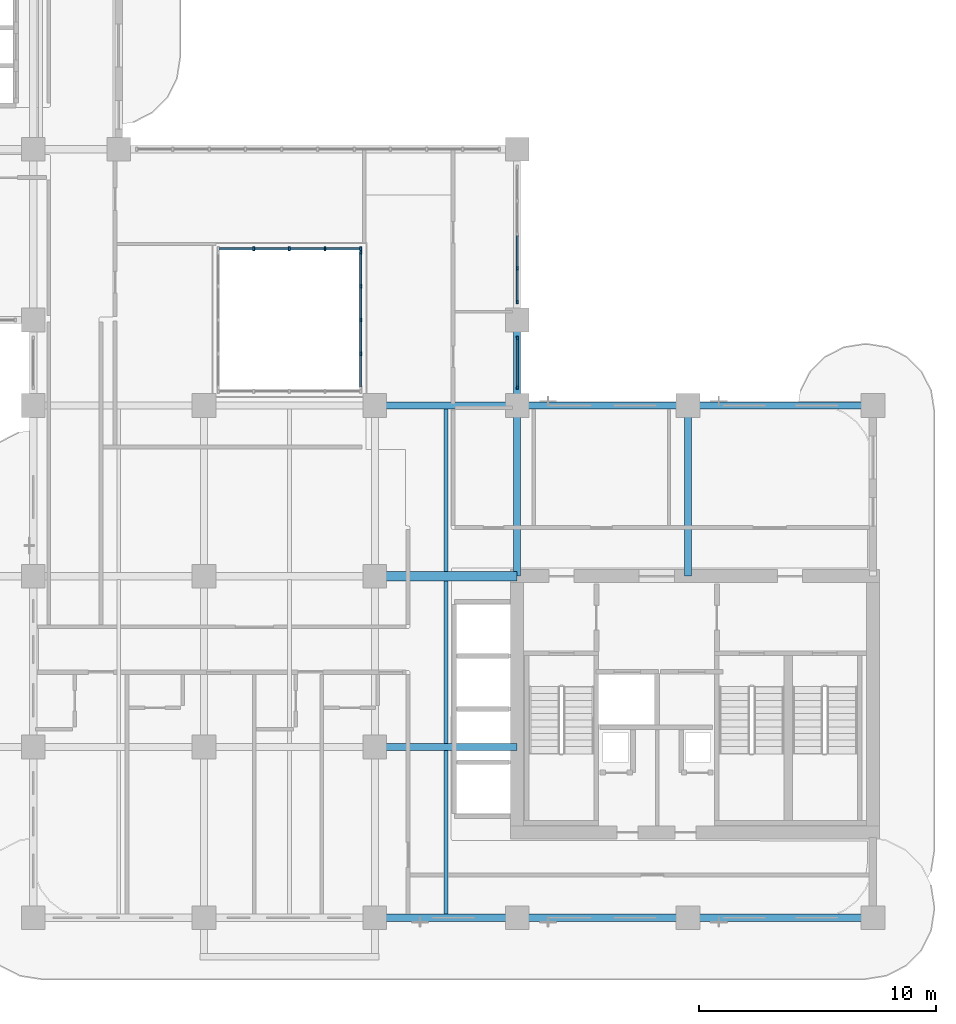
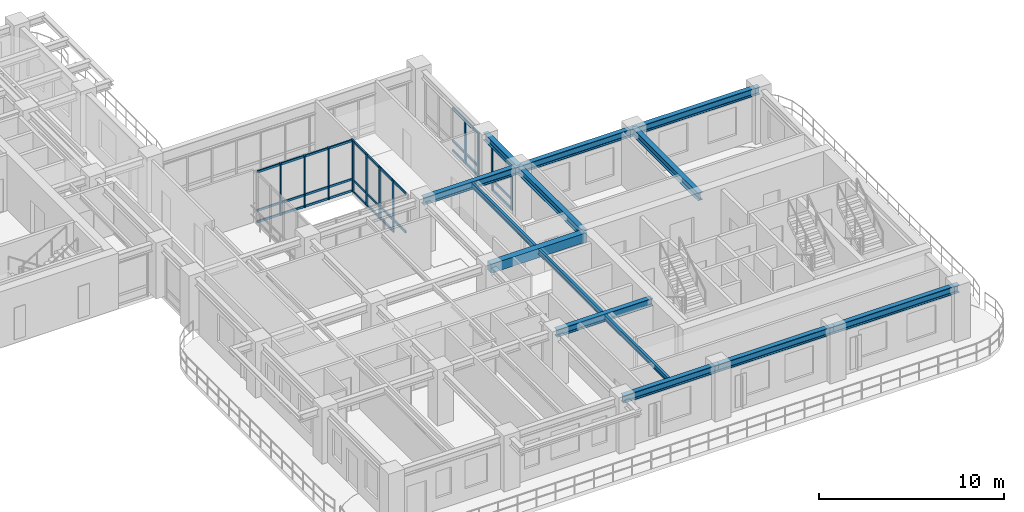
# One storey, part 3 of 20: 44 members, 14 beams, 4 elements without a shape of their own.
"""IFC4 building model written with IfcOpenShell, lengths in metres."""

from ifc_helpers import new_model, si_unit, derived_unit, direction, frame, origin, origin_2d, place, context, subcontext, project, spatial, rectangle, i_section, extrude, source, transform, mapped, material, layer, layer_set, material_profile, profile_set, type_object, type_shapes, element, aggregate, save


model = new_model("IFC4")

# Units and contexts
model_context = context("Model", 3, precision=1e-05, world=origin(), true_north=direction((0.0, 1.0)))
body_context = subcontext(model_context, "Body", "Model", "MODEL_VIEW")
ifc_project = project(units=[si_unit("LENGTHUNIT", "METRE"), si_unit("AREAUNIT", "SQUARE_METRE"), si_unit("VOLUMEUNIT", "CUBIC_METRE"), si_unit("PLANEANGLEUNIT", "RADIAN"), si_unit("MASSUNIT", "GRAM", prefix="KILO"), si_unit("THERMODYNAMICTEMPERATUREUNIT", "KELVIN"), si_unit("POWERUNIT", "WATT"), derived_unit("THERMALTRANSMITTANCEUNIT", [(si_unit("POWERUNIT", "WATT"), 1), (si_unit("AREAUNIT", "SQUARE_METRE"), -1), (si_unit("THERMODYNAMICTEMPERATUREUNIT", "KELVIN"), -1)])], contexts=[model_context])

# Site, building, storey
site_placement = place(None, origin())
site = spatial("IfcSite", under=ifc_project, at=site_placement, CompositionType="ELEMENT")
building_placement = place(site_placement, origin())
building = spatial("IfcBuilding", under=site, at=building_placement, Name="Zahravan Archway Hotel and Residences", CompositionType="ELEMENT")
storey_placement = place(building_placement, frame((0.0, 0.0, 122.89990234375)))
storey = spatial("IfcBuildingStorey", under=building, at=storey_placement, Name="L30", CompositionType="ELEMENT", Elevation=122.89990234375)

# Beams
ifc_material_1 = material(Name="Concrete C60/75", Category="concrete")
ifc_material_profile_1 = material_profile(ifc_material_1, rectangle(XDim=0.39990234375, YDim=0.60009765625, at=origin_2d()), Name="RC-LNT-400x600", Category="concrete")
ifc_profile_set_1 = profile_set([ifc_material_profile_1], Name="Concrete C60/75")
beam_type_1 = type_object("IfcBeamType", Name="LNT-RC-400x600", PredefinedType="LINTEL", material=ifc_profile_set_1)
shared_shape_1 = source(origin(), body_context, "Body", "SweptSolid", [
    extrude(rectangle(XDim=0.39990234375, YDim=0.60009765625, at=origin_2d()), origin(), (0.0, 0.0, 1.0), 6.0),
])
type_shapes(beam_type_1, [shared_shape_1])
beam_1_placement = place(storey_placement, frame((28.800048828125, 14.39990234375, 3.150146484375), z_axis=(1.0, 0.0, 0.0), x_axis=(0.0, 1.0, 0.0)))
element("IfcBeam", 1, at=beam_1_placement, inside=storey, type_object=beam_type_1, Name="L30 Core A Coupling Lintel Beam", PredefinedType="LINTEL", context=body_context, shape_type="MappedRepresentation", body=[
    mapped(shared_shape_1, transform((0.0, 0.0, 0.0), scale=1.0)),
])
ifc_material_2 = material(Name="Structural Steel S355JR", Category="steel")
ifc_material_profile_2 = material_profile(ifc_material_2, i_section(OverallWidth=0.300048828125, OverallDepth=0.5, WebThickness=0.014404296875, FlangeThickness=0.028076171875, FilletRadius=0.027099609375, at=origin_2d()), Name="HEB 500", Category="steel")
ifc_profile_set_2 = profile_set([ifc_material_profile_2], Name="Structural Steel S355JR")
beam_type_2 = type_object("IfcBeamType", Name="BM-PRI-HEB500", PredefinedType="BEAM", material=ifc_profile_set_2)
shared_shape_2 = source(origin(), body_context, "Body", "SweptSolid", [
    extrude(i_section(OverallWidth=0.300048828125, OverallDepth=0.5, WebThickness=0.014404296875, FlangeThickness=0.028076171875, FilletRadius=0.027099609375, at=origin_2d()), origin(), (0.0, 0.0, 1.0), 7.2001953125),
])
type_shapes(beam_type_2, [shared_shape_2])
for number, where, z_axis, x_axis, name in (
    (2, (34.800048828125, 14.39990234375, 3.2001953125), (0.0, 1.0, 0.0), (-1.0, 0.0, 0.0), "L30 Primary Girder NS-41"),
    (3, (42.0, 14.39990234375, 3.2001953125), (0.0, 1.0, 0.0), (-1.0, 0.0, 0.0), "L30 Primary Girder NS-44"),
):
    element("IfcBeam", number, at=place(storey_placement, frame(where, z_axis=z_axis, x_axis=x_axis)), inside=storey, type_object=beam_type_2, Name=name, PredefinedType="BEAM", context=body_context, shape_type="MappedRepresentation", body=[
        mapped(shared_shape_2, transform((0.0, 0.0, 0.0), scale=1.0)),
    ])
shared_shape_3 = source(origin(), body_context, "Body", "SweptSolid", [
    extrude(i_section(OverallWidth=0.300048828125, OverallDepth=0.5, WebThickness=0.014404296875, FlangeThickness=0.028076171875, FilletRadius=0.027099609375, at=origin_2d()), origin(), (0.0, 0.0, 1.0), 7.199951171875),
])
for number, where, z_axis, x_axis, name in (
    (4, (34.800048828125, 0.0, 3.2001953125), (1.0, 0.0, 0.0), (0.0, 1.0, 0.0), "L30 Primary Girder EW-04"),
    (5, (34.800048828125, 21.60009765625, 3.2001953125), (1.0, 0.0, 0.0), (0.0, 1.0, 0.0), "L30 Primary Girder EW-14"),
):
    element("IfcBeam", number, at=place(storey_placement, frame(where, z_axis=z_axis, x_axis=x_axis)), inside=storey, type_object=beam_type_2, Name=name, PredefinedType="BEAM", context=body_context, shape_type="MappedRepresentation", body=[
        mapped(shared_shape_3, transform((0.0, 0.0, 0.0), scale=1.0)),
    ])
shared_shape_4 = source(origin(), body_context, "Body", "SweptSolid", [
    extrude(i_section(OverallWidth=0.300048828125, OverallDepth=0.5, WebThickness=0.014404296875, FlangeThickness=0.028076171875, FilletRadius=0.027099609375, at=origin_2d()), origin(), (0.0, 0.0, 1.0), 6.0),
])
for number, where, z_axis, x_axis, name in (
    (6, (28.800048828125, 0.0, 3.2001953125), (1.0, 0.0, 0.0), (0.0, 1.0, 0.0), "L30 Primary Girder EW-03"),
    (7, (28.800048828125, 7.199951171875, 3.2001953125), (1.0, 0.0, 0.0), (0.0, 1.0, 0.0), "L30 Primary Girder EW-08"),
    (8, (28.800048828125, 21.60009765625, 3.2001953125), (1.0, 0.0, 0.0), (0.0, 1.0, 0.0), "L30 Primary Girder EW-13"),
):
    element("IfcBeam", number, at=place(storey_placement, frame(where, z_axis=z_axis, x_axis=x_axis)), inside=storey, type_object=beam_type_2, Name=name, PredefinedType="BEAM", context=body_context, shape_type="MappedRepresentation", body=[
        mapped(shared_shape_4, transform((0.0, 0.0, 0.0), scale=1.0)),
    ])
shared_shape_5 = source(origin(), body_context, "Body", "SweptSolid", [
    extrude(i_section(OverallWidth=0.300048828125, OverallDepth=0.5, WebThickness=0.014404296875, FlangeThickness=0.028076171875, FilletRadius=0.027099609375, at=origin_2d()), origin(), (0.0, 0.0, 1.0), 7.800048828125),
])
for number, where, z_axis, x_axis, name in (
    (9, (42.0, 0.0, 3.2001953125), (1.0, 0.0, 0.0), (0.0, 1.0, 0.0), "L30 Primary Girder EW-05"),
    (10, (42.0, 21.60009765625, 3.2001953125), (1.0, 0.0, 0.0), (0.0, 1.0, 0.0), "L30 Primary Girder EW-15"),
):
    element("IfcBeam", number, at=place(storey_placement, frame(where, z_axis=z_axis, x_axis=x_axis)), inside=storey, type_object=beam_type_2, Name=name, PredefinedType="BEAM", context=body_context, shape_type="MappedRepresentation", body=[
        mapped(shared_shape_5, transform((0.0, 0.0, 0.0), scale=1.0)),
    ])
shared_shape_6 = source(origin(), body_context, "Body", "SweptSolid", [
    extrude(i_section(OverallWidth=0.300048828125, OverallDepth=0.5, WebThickness=0.014404296875, FlangeThickness=0.028076171875, FilletRadius=0.027099609375, at=origin_2d()), origin(), (0.0, 0.0, 1.0), 3.599853515625),
])
beam_2_placement = place(storey_placement, frame((34.800048828125, 21.60009765625, 3.2001953125), z_axis=(0.0, 1.0, 0.0), x_axis=(-1.0, 0.0, 0.0)))
element("IfcBeam", 11, at=beam_2_placement, inside=storey, type_object=beam_type_2, Name="L30 Primary Girder NS-42", PredefinedType="BEAM", context=body_context, shape_type="MappedRepresentation", body=[
    mapped(shared_shape_6, transform((0.0, 0.0, 0.0), scale=1.0)),
])
ifc_material_profile_3 = material_profile(ifc_material_2, i_section(OverallWidth=0.159912109375, OverallDepth=0.330078125, WebThickness=0.007568359375, FlangeThickness=0.011474609375, FilletRadius=0.01806640625, at=origin_2d()), Name="IPE 330", Category="steel")
ifc_profile_set_3 = profile_set([ifc_material_profile_3], Name="Structural Steel S355JR")
beam_type_3 = type_object("IfcBeamType", Name="BM-JST-IPE330", PredefinedType="JOIST", material=ifc_profile_set_3)
shared_shape_7 = source(origin(), body_context, "Body", "SweptSolid", [
    extrude(i_section(OverallWidth=0.159912109375, OverallDepth=0.330078125, WebThickness=0.007568359375, FlangeThickness=0.011474609375, FilletRadius=0.01806640625, at=origin_2d()), origin(), (0.0, 0.0, 1.0), 6.904052734375),
])
type_shapes(beam_type_3, [shared_shape_7])
beam_3_placement = place(storey_placement, frame((31.800048828125, 0.14794921875, 3.28515625), z_axis=(0.0, 1.0, 0.0), x_axis=(-1.0, 0.0, 0.0)))
element("IfcBeam", 12, at=beam_3_placement, inside=storey, type_object=beam_type_3, Name="L30 Composite Floor Joist 03", PredefinedType="JOIST", context=body_context, shape_type="MappedRepresentation", body=[
    mapped(shared_shape_7, transform((0.0, 0.0, 0.0), scale=1.0)),
])
shared_shape_8 = source(origin(), body_context, "Body", "SweptSolid", [
    extrude(i_section(OverallWidth=0.159912109375, OverallDepth=0.330078125, WebThickness=0.007568359375, FlangeThickness=0.011474609375, FilletRadius=0.01806640625, at=origin_2d()), origin(), (0.0, 0.0, 1.0), 6.85400390625),
])
for number, where, z_axis, x_axis, name in (
    (13, (31.800048828125, 7.347900390625, 3.28515625), (0.0, 1.0, 0.0), (-1.0, 0.0, 0.0), "L30 Composite Floor Joist 06"),
    (14, (31.800048828125, 14.597900390625, 3.28515625), (0.0, 1.0, 0.0), (-1.0, 0.0, 0.0), "L30 Composite Floor Joist 07"),
):
    element("IfcBeam", number, at=place(storey_placement, frame(where, z_axis=z_axis, x_axis=x_axis)), inside=storey, type_object=beam_type_3, Name=name, PredefinedType="JOIST", context=body_context, shape_type="MappedRepresentation", body=[
        mapped(shared_shape_8, transform((0.0, 0.0, 0.0), scale=1.0)),
    ])

# Curtain wall, members
ifc_material_3 = material(Name="Bronze-Anodized Unitised Aluminium & Low-E Glass", Category="aluminium")
ifc_layer_1 = layer(ifc_material_3, 0.179931640625, Name="Bronze-Anodized Unitised Aluminium & Low-E Glass", Category="aluminium")
ifc_layer_set_1 = layer_set([ifc_layer_1], Name="Bronze-Anodized Unitised Aluminium & Low-E Glass")
curtain_wall_type_1 = type_object("IfcCurtainWallType", Name="CW-TWR-FEAT", PredefinedType="NOTDEFINED", material=ifc_layer_set_1)
curtain_wall_1_placement = place(storey_placement, origin())
curtain_wall_1 = element("IfcCurtainWall", 15, at=curtain_wall_1_placement, inside=storey, type_object=curtain_wall_type_1, Name="L30 Curtain Wall CW-L30-HNG-E-2", PredefinedType="NOTDEFINED")
ifc_material_4 = material(Name="Bronze-Anodized Extruded Aluminium", Category="aluminium")
ifc_material_profile_4 = material_profile(ifc_material_4, rectangle(XDim=0.080078125, YDim=0.139892578125, at=origin_2d()), Name="TRN 80x140", Category="aluminium")
ifc_profile_set_4 = profile_set([ifc_material_profile_4], Name="Bronze-Anodized Extruded Aluminium")
member_type_1 = type_object("IfcMemberType", Name="CWM-TRN-140", PredefinedType="USERDEFINED", material=ifc_profile_set_4)
shared_shape_9 = source(origin(), body_context, "Body", "SweptSolid", [
    extrude(rectangle(XDim=0.080078125, YDim=0.139892578125, at=origin_2d()), origin(), (0.0, 0.0, 1.0), 1.340087890625),
])
member_1_placement = place(storey_placement, frame((34.800048828125, 26.0, 0.070068359375), z_axis=(0.0, 1.0, 0.0), x_axis=(-1.0, 0.0, 0.0)))
member_1 = element("IfcMember", 16, at=member_1_placement, type_object=member_type_1, Name="CW-L30-HNG-E-2 Transom 0-1", ObjectType="TRANSOM", PredefinedType="USERDEFINED", context=body_context, shape_type="MappedRepresentation", body=[
    mapped(shared_shape_9, transform((0.0, 0.0, 0.0), scale=1.0)),
])
member_2_placement = place(storey_placement, frame((34.800048828125, 26.0, 0.70458984375), z_axis=(0.0, 1.0, 0.0), x_axis=(-1.0, 0.0, 0.0)))
member_2 = element("IfcMember", 17, at=member_2_placement, type_object=member_type_1, Name="CW-L30-HNG-E-2 Transom 0-2", ObjectType="TRANSOM", PredefinedType="USERDEFINED", context=body_context, shape_type="MappedRepresentation", body=[
    mapped(shared_shape_9, transform((0.0, 0.0, 0.0), scale=1.0)),
])
member_3_placement = place(storey_placement, frame((34.800048828125, 26.0, 2.864990234375), z_axis=(0.0, 1.0, 0.0), x_axis=(-1.0, 0.0, 0.0)))
member_3 = element("IfcMember", 18, at=member_3_placement, type_object=member_type_1, Name="CW-L30-HNG-E-2 Transom 0-3", ObjectType="TRANSOM", PredefinedType="USERDEFINED", context=body_context, shape_type="MappedRepresentation", body=[
    mapped(shared_shape_9, transform((0.0, 0.0, 0.0), scale=1.0)),
])
member_4_placement = place(storey_placement, frame((34.800048828125, 27.419921875, 0.070068359375), z_axis=(0.0, 1.0, 0.0), x_axis=(-1.0, 0.0, 0.0)))
member_4 = element("IfcMember", 19, at=member_4_placement, type_object=member_type_1, Name="CW-L30-HNG-E-2 Transom 1-1", ObjectType="TRANSOM", PredefinedType="USERDEFINED", context=body_context, shape_type="MappedRepresentation", body=[
    mapped(shared_shape_9, transform((0.0, 0.0, 0.0), scale=1.0)),
])
member_5_placement = place(storey_placement, frame((34.800048828125, 27.419921875, 0.70458984375), z_axis=(0.0, 1.0, 0.0), x_axis=(-1.0, 0.0, 0.0)))
member_5 = element("IfcMember", 20, at=member_5_placement, type_object=member_type_1, Name="CW-L30-HNG-E-2 Transom 1-2", ObjectType="TRANSOM", PredefinedType="USERDEFINED", context=body_context, shape_type="MappedRepresentation", body=[
    mapped(shared_shape_9, transform((0.0, 0.0, 0.0), scale=1.0)),
])
member_6_placement = place(storey_placement, frame((34.800048828125, 27.419921875, 2.864990234375), z_axis=(0.0, 1.0, 0.0), x_axis=(-1.0, 0.0, 0.0)))
member_6 = element("IfcMember", 21, at=member_6_placement, type_object=member_type_1, Name="CW-L30-HNG-E-2 Transom 1-3", ObjectType="TRANSOM", PredefinedType="USERDEFINED", context=body_context, shape_type="MappedRepresentation", body=[
    mapped(shared_shape_9, transform((0.0, 0.0, 0.0), scale=1.0)),
])

curtain_wall_2_placement = place(storey_placement, origin())
curtain_wall_2 = element("IfcCurtainWall", 22, at=curtain_wall_2_placement, inside=storey, type_object=curtain_wall_type_1, Name="L30 Curtain Wall CW-L30-HNG-E-1", PredefinedType="NOTDEFINED")
shared_shape_10 = source(origin(), body_context, "Body", "SweptSolid", [
    extrude(rectangle(XDim=0.080078125, YDim=0.139892578125, at=origin_2d()), origin(), (0.0, 0.0, 1.0), 2.0),
])
member_7_placement = place(storey_placement, frame((34.800048828125, 22.39990234375, 0.070068359375), z_axis=(0.0, 1.0, 0.0), x_axis=(-1.0, 0.0, 0.0)))
member_7 = element("IfcMember", 23, at=member_7_placement, type_object=member_type_1, Name="CW-L30-HNG-E-1 Transom 0-1", ObjectType="TRANSOM", PredefinedType="USERDEFINED", context=body_context, shape_type="MappedRepresentation", body=[
    mapped(shared_shape_10, transform((0.0, 0.0, 0.0), scale=1.0)),
])
member_8_placement = place(storey_placement, frame((34.800048828125, 22.39990234375, 0.70458984375), z_axis=(0.0, 1.0, 0.0), x_axis=(-1.0, 0.0, 0.0)))
member_8 = element("IfcMember", 24, at=member_8_placement, type_object=member_type_1, Name="CW-L30-HNG-E-1 Transom 0-2", ObjectType="TRANSOM", PredefinedType="USERDEFINED", context=body_context, shape_type="MappedRepresentation", body=[
    mapped(shared_shape_10, transform((0.0, 0.0, 0.0), scale=1.0)),
])
member_9_placement = place(storey_placement, frame((34.800048828125, 22.39990234375, 2.864990234375), z_axis=(0.0, 1.0, 0.0), x_axis=(-1.0, 0.0, 0.0)))
member_9 = element("IfcMember", 25, at=member_9_placement, type_object=member_type_1, Name="CW-L30-HNG-E-1 Transom 0-3", ObjectType="TRANSOM", PredefinedType="USERDEFINED", context=body_context, shape_type="MappedRepresentation", body=[
    mapped(shared_shape_10, transform((0.0, 0.0, 0.0), scale=1.0)),
])

ifc_layer_2 = layer(ifc_material_3, 0.179931640625, Name="Bronze-Anodized Unitised Aluminium & Low-E Glass", Category="aluminium")
ifc_layer_set_2 = layer_set([ifc_layer_2], Name="Bronze-Anodized Unitised Aluminium & Low-E Glass")
curtain_wall_type_2 = type_object("IfcCurtainWallType", Name="CW-ATR-GLAZ", PredefinedType="NOTDEFINED", material=ifc_layer_set_2)
curtain_wall_3_placement = place(storey_placement, origin())
curtain_wall_3 = element("IfcCurtainWall", 26, at=curtain_wall_3_placement, inside=storey, type_object=curtain_wall_type_2, Name="L30 Curtain Wall CW-ATR-L30-N-1", PredefinedType="NOTDEFINED")
shared_shape_11 = source(origin(), body_context, "Body", "SweptSolid", [
    extrude(rectangle(XDim=0.080078125, YDim=0.139892578125, at=origin_2d()), origin(), (0.0, 0.0, 1.0), 1.419921875),
])
member_10_placement = place(storey_placement, frame((22.239990234375, 28.199951171875, 0.070068359375), z_axis=(1.0, 0.0, 0.0), x_axis=(0.0, 1.0, 0.0)))
member_10 = element("IfcMember", 27, at=member_10_placement, type_object=member_type_1, Name="CW-ATR-L30-N-1 Transom 0-1", ObjectType="TRANSOM", PredefinedType="USERDEFINED", context=body_context, shape_type="MappedRepresentation", body=[
    mapped(shared_shape_11, transform((0.0, 0.0, 0.0), scale=1.0)),
])
member_11_placement = place(storey_placement, frame((22.239990234375, 28.199951171875, 0.828125), z_axis=(1.0, 0.0, 0.0), x_axis=(0.0, 1.0, 0.0)))
member_11 = element("IfcMember", 28, at=member_11_placement, type_object=member_type_1, Name="CW-ATR-L30-N-1 Transom 0-2", ObjectType="TRANSOM", PredefinedType="USERDEFINED", context=body_context, shape_type="MappedRepresentation", body=[
    mapped(shared_shape_11, transform((0.0, 0.0, 0.0), scale=1.0)),
])
member_12_placement = place(storey_placement, frame((22.239990234375, 28.199951171875, 3.380126953125), z_axis=(1.0, 0.0, 0.0), x_axis=(0.0, 1.0, 0.0)))
member_12 = element("IfcMember", 29, at=member_12_placement, type_object=member_type_1, Name="CW-ATR-L30-N-1 Transom 0-3", ObjectType="TRANSOM", PredefinedType="USERDEFINED", context=body_context, shape_type="MappedRepresentation", body=[
    mapped(shared_shape_11, transform((0.0, 0.0, 0.0), scale=1.0)),
])
member_13_placement = place(storey_placement, frame((23.739990234375, 28.199951171875, 0.070068359375), z_axis=(1.0, 0.0, 0.0), x_axis=(0.0, 1.0, 0.0)))
member_13 = element("IfcMember", 30, at=member_13_placement, type_object=member_type_1, Name="CW-ATR-L30-N-1 Transom 1-1", ObjectType="TRANSOM", PredefinedType="USERDEFINED", context=body_context, shape_type="MappedRepresentation", body=[
    mapped(shared_shape_11, transform((0.0, 0.0, 0.0), scale=1.0)),
])
member_14_placement = place(storey_placement, frame((23.739990234375, 28.199951171875, 0.828125), z_axis=(1.0, 0.0, 0.0), x_axis=(0.0, 1.0, 0.0)))
member_14 = element("IfcMember", 31, at=member_14_placement, type_object=member_type_1, Name="CW-ATR-L30-N-1 Transom 1-2", ObjectType="TRANSOM", PredefinedType="USERDEFINED", context=body_context, shape_type="MappedRepresentation", body=[
    mapped(shared_shape_11, transform((0.0, 0.0, 0.0), scale=1.0)),
])
member_15_placement = place(storey_placement, frame((23.739990234375, 28.199951171875, 3.380126953125), z_axis=(1.0, 0.0, 0.0), x_axis=(0.0, 1.0, 0.0)))
member_15 = element("IfcMember", 32, at=member_15_placement, type_object=member_type_1, Name="CW-ATR-L30-N-1 Transom 1-3", ObjectType="TRANSOM", PredefinedType="USERDEFINED", context=body_context, shape_type="MappedRepresentation", body=[
    mapped(shared_shape_11, transform((0.0, 0.0, 0.0), scale=1.0)),
])
member_16_placement = place(storey_placement, frame((25.239990234375, 28.199951171875, 0.070068359375), z_axis=(1.0, 0.0, 0.0), x_axis=(0.0, 1.0, 0.0)))
member_16 = element("IfcMember", 33, at=member_16_placement, type_object=member_type_1, Name="CW-ATR-L30-N-1 Transom 2-1", ObjectType="TRANSOM", PredefinedType="USERDEFINED", context=body_context, shape_type="MappedRepresentation", body=[
    mapped(shared_shape_11, transform((0.0, 0.0, 0.0), scale=1.0)),
])
member_17_placement = place(storey_placement, frame((25.239990234375, 28.199951171875, 0.828125), z_axis=(1.0, 0.0, 0.0), x_axis=(0.0, 1.0, 0.0)))
member_17 = element("IfcMember", 34, at=member_17_placement, type_object=member_type_1, Name="CW-ATR-L30-N-1 Transom 2-2", ObjectType="TRANSOM", PredefinedType="USERDEFINED", context=body_context, shape_type="MappedRepresentation", body=[
    mapped(shared_shape_11, transform((0.0, 0.0, 0.0), scale=1.0)),
])
member_18_placement = place(storey_placement, frame((25.239990234375, 28.199951171875, 3.380126953125), z_axis=(1.0, 0.0, 0.0), x_axis=(0.0, 1.0, 0.0)))
member_18 = element("IfcMember", 35, at=member_18_placement, type_object=member_type_1, Name="CW-ATR-L30-N-1 Transom 2-3", ObjectType="TRANSOM", PredefinedType="USERDEFINED", context=body_context, shape_type="MappedRepresentation", body=[
    mapped(shared_shape_11, transform((0.0, 0.0, 0.0), scale=1.0)),
])
member_19_placement = place(storey_placement, frame((26.739990234375, 28.199951171875, 0.070068359375), z_axis=(1.0, 0.0, 0.0), x_axis=(0.0, 1.0, 0.0)))
member_19 = element("IfcMember", 36, at=member_19_placement, type_object=member_type_1, Name="CW-ATR-L30-N-1 Transom 3-1", ObjectType="TRANSOM", PredefinedType="USERDEFINED", context=body_context, shape_type="MappedRepresentation", body=[
    mapped(shared_shape_11, transform((0.0, 0.0, 0.0), scale=1.0)),
])
member_20_placement = place(storey_placement, frame((26.739990234375, 28.199951171875, 0.828125), z_axis=(1.0, 0.0, 0.0), x_axis=(0.0, 1.0, 0.0)))
member_20 = element("IfcMember", 37, at=member_20_placement, type_object=member_type_1, Name="CW-ATR-L30-N-1 Transom 3-2", ObjectType="TRANSOM", PredefinedType="USERDEFINED", context=body_context, shape_type="MappedRepresentation", body=[
    mapped(shared_shape_11, transform((0.0, 0.0, 0.0), scale=1.0)),
])
member_21_placement = place(storey_placement, frame((26.739990234375, 28.199951171875, 3.380126953125), z_axis=(1.0, 0.0, 0.0), x_axis=(0.0, 1.0, 0.0)))
member_21 = element("IfcMember", 38, at=member_21_placement, type_object=member_type_1, Name="CW-ATR-L30-N-1 Transom 3-3", ObjectType="TRANSOM", PredefinedType="USERDEFINED", context=body_context, shape_type="MappedRepresentation", body=[
    mapped(shared_shape_11, transform((0.0, 0.0, 0.0), scale=1.0)),
])

curtain_wall_4_placement = place(storey_placement, origin())
curtain_wall_4 = element("IfcCurtainWall", 39, at=curtain_wall_4_placement, inside=storey, type_object=curtain_wall_type_2, Name="L30 Curtain Wall CW-ATR-L30-E-1", PredefinedType="NOTDEFINED")
shared_shape_12 = source(origin(), body_context, "Body", "SweptSolid", [
    extrude(rectangle(XDim=0.080078125, YDim=0.139892578125, at=origin_2d()), origin(), (0.0, 0.0, 1.0), 1.34521484375),
])
member_22_placement = place(storey_placement, frame((28.199951171875, 22.389892578125, 0.828125), z_axis=(0.0, 1.0, 0.0), x_axis=(-1.0, 0.0, 0.0)))
member_22 = element("IfcMember", 40, at=member_22_placement, type_object=member_type_1, Name="CW-ATR-L30-E-1 Transom 0-2", ObjectType="TRANSOM", PredefinedType="USERDEFINED", context=body_context, shape_type="MappedRepresentation", body=[
    mapped(shared_shape_12, transform((0.0, 0.0, 0.0), scale=1.0)),
])
member_23_placement = place(storey_placement, frame((28.199951171875, 22.389892578125, 3.380126953125), z_axis=(0.0, 1.0, 0.0), x_axis=(-1.0, 0.0, 0.0)))
member_23 = element("IfcMember", 41, at=member_23_placement, type_object=member_type_1, Name="CW-ATR-L30-E-1 Transom 0-3", ObjectType="TRANSOM", PredefinedType="USERDEFINED", context=body_context, shape_type="MappedRepresentation", body=[
    mapped(shared_shape_12, transform((0.0, 0.0, 0.0), scale=1.0)),
])
shared_shape_13 = source(origin(), body_context, "Body", "SweptSolid", [
    extrude(rectangle(XDim=0.080078125, YDim=0.139892578125, at=origin_2d()), origin(), (0.0, 0.0, 1.0), 1.344970703125),
])
member_24_placement = place(storey_placement, frame((28.199951171875, 23.81494140625, 0.070068359375), z_axis=(0.0, 1.0, 0.0), x_axis=(-1.0, 0.0, 0.0)))
member_24 = element("IfcMember", 42, at=member_24_placement, type_object=member_type_1, Name="CW-ATR-L30-E-1 Transom 1-1", ObjectType="TRANSOM", PredefinedType="USERDEFINED", context=body_context, shape_type="MappedRepresentation", body=[
    mapped(shared_shape_13, transform((0.0, 0.0, 0.0), scale=1.0)),
])
member_25_placement = place(storey_placement, frame((28.199951171875, 23.81494140625, 0.828125), z_axis=(0.0, 1.0, 0.0), x_axis=(-1.0, 0.0, 0.0)))
member_25 = element("IfcMember", 43, at=member_25_placement, type_object=member_type_1, Name="CW-ATR-L30-E-1 Transom 1-2", ObjectType="TRANSOM", PredefinedType="USERDEFINED", context=body_context, shape_type="MappedRepresentation", body=[
    mapped(shared_shape_13, transform((0.0, 0.0, 0.0), scale=1.0)),
])
member_26_placement = place(storey_placement, frame((28.199951171875, 23.81494140625, 3.380126953125), z_axis=(0.0, 1.0, 0.0), x_axis=(-1.0, 0.0, 0.0)))
member_26 = element("IfcMember", 44, at=member_26_placement, type_object=member_type_1, Name="CW-ATR-L30-E-1 Transom 1-3", ObjectType="TRANSOM", PredefinedType="USERDEFINED", context=body_context, shape_type="MappedRepresentation", body=[
    mapped(shared_shape_13, transform((0.0, 0.0, 0.0), scale=1.0)),
])
member_27_placement = place(storey_placement, frame((28.199951171875, 25.239990234375, 0.070068359375), z_axis=(0.0, 1.0, 0.0), x_axis=(-1.0, 0.0, 0.0)))
member_27 = element("IfcMember", 45, at=member_27_placement, type_object=member_type_1, Name="CW-ATR-L30-E-1 Transom 2-1", ObjectType="TRANSOM", PredefinedType="USERDEFINED", context=body_context, shape_type="MappedRepresentation", body=[
    mapped(shared_shape_13, transform((0.0, 0.0, 0.0), scale=1.0)),
])
member_28_placement = place(storey_placement, frame((28.199951171875, 25.239990234375, 0.828125), z_axis=(0.0, 1.0, 0.0), x_axis=(-1.0, 0.0, 0.0)))
member_28 = element("IfcMember", 46, at=member_28_placement, type_object=member_type_1, Name="CW-ATR-L30-E-1 Transom 2-2", ObjectType="TRANSOM", PredefinedType="USERDEFINED", context=body_context, shape_type="MappedRepresentation", body=[
    mapped(shared_shape_13, transform((0.0, 0.0, 0.0), scale=1.0)),
])
member_29_placement = place(storey_placement, frame((28.199951171875, 25.239990234375, 3.380126953125), z_axis=(0.0, 1.0, 0.0), x_axis=(-1.0, 0.0, 0.0)))
member_29 = element("IfcMember", 47, at=member_29_placement, type_object=member_type_1, Name="CW-ATR-L30-E-1 Transom 2-3", ObjectType="TRANSOM", PredefinedType="USERDEFINED", context=body_context, shape_type="MappedRepresentation", body=[
    mapped(shared_shape_13, transform((0.0, 0.0, 0.0), scale=1.0)),
])
member_30_placement = place(storey_placement, frame((28.199951171875, 26.6650390625, 0.070068359375), z_axis=(0.0, 1.0, 0.0), x_axis=(-1.0, 0.0, 0.0)))
member_30 = element("IfcMember", 48, at=member_30_placement, type_object=member_type_1, Name="CW-ATR-L30-E-1 Transom 3-1", ObjectType="TRANSOM", PredefinedType="USERDEFINED", context=body_context, shape_type="MappedRepresentation", body=[
    mapped(shared_shape_13, transform((0.0, 0.0, 0.0), scale=1.0)),
])
member_31_placement = place(storey_placement, frame((28.199951171875, 26.6650390625, 0.828125), z_axis=(0.0, 1.0, 0.0), x_axis=(-1.0, 0.0, 0.0)))
member_31 = element("IfcMember", 49, at=member_31_placement, type_object=member_type_1, Name="CW-ATR-L30-E-1 Transom 3-2", ObjectType="TRANSOM", PredefinedType="USERDEFINED", context=body_context, shape_type="MappedRepresentation", body=[
    mapped(shared_shape_13, transform((0.0, 0.0, 0.0), scale=1.0)),
])
member_32_placement = place(storey_placement, frame((28.199951171875, 26.6650390625, 3.380126953125), z_axis=(0.0, 1.0, 0.0), x_axis=(-1.0, 0.0, 0.0)))
member_32 = element("IfcMember", 50, at=member_32_placement, type_object=member_type_1, Name="CW-ATR-L30-E-1 Transom 3-3", ObjectType="TRANSOM", PredefinedType="USERDEFINED", context=body_context, shape_type="MappedRepresentation", body=[
    mapped(shared_shape_13, transform((0.0, 0.0, 0.0), scale=1.0)),
])

# Member
ifc_material_profile_5 = material_profile(ifc_material_4, rectangle(XDim=0.080078125, YDim=0.159912109375, at=origin_2d()), Name="MUL 80x160", Category="aluminium")
ifc_profile_set_5 = profile_set([ifc_material_profile_5], Name="Bronze-Anodized Extruded Aluminium")
member_type_2 = type_object("IfcMemberType", Name="CWM-MUL-160", PredefinedType="MULLION", material=ifc_profile_set_5)
shared_shape_14 = source(origin(), body_context, "Body", "SweptSolid", [
    extrude(rectangle(XDim=0.080078125, YDim=0.159912109375, at=origin_2d()), origin(), (0.0, 0.0, 1.0), 3.4501953125),
])
member_33_placement = place(storey_placement, frame((23.699951171875, 28.199951171875, 0.0), z_axis=(0.0, 0.0, 1.0), x_axis=(1.0, 0.0, 0.0)))
member_33 = element("IfcMember", 51, at=member_33_placement, type_object=member_type_2, Name="CW-ATR-L30-N-1 Mullion 1", PredefinedType="MULLION", context=body_context, shape_type="MappedRepresentation", body=[
    mapped(shared_shape_14, transform((0.0, 0.0, 0.0), scale=1.0)),
])

member_34_placement = place(storey_placement, frame((25.199951171875, 28.199951171875, 0.0), z_axis=(0.0, 0.0, 1.0), x_axis=(1.0, 0.0, 0.0)))
member_34 = element("IfcMember", 52, at=member_34_placement, type_object=member_type_2, Name="CW-ATR-L30-N-1 Mullion 2", PredefinedType="MULLION", context=body_context, shape_type="MappedRepresentation", body=[
    mapped(shared_shape_14, transform((0.0, 0.0, 0.0), scale=1.0)),
])

member_35_placement = place(storey_placement, frame((26.699951171875, 28.199951171875, 0.0), z_axis=(0.0, 0.0, 1.0), x_axis=(1.0, 0.0, 0.0)))
member_35 = element("IfcMember", 53, at=member_35_placement, type_object=member_type_2, Name="CW-ATR-L30-N-1 Mullion 3", PredefinedType="MULLION", context=body_context, shape_type="MappedRepresentation", body=[
    mapped(shared_shape_14, transform((0.0, 0.0, 0.0), scale=1.0)),
])

member_36_placement = place(storey_placement, frame((28.199951171875, 28.199951171875, 0.0), z_axis=(0.0, 0.0, 1.0), x_axis=(1.0, 0.0, 0.0)))
member_36 = element("IfcMember", 54, at=member_36_placement, type_object=member_type_2, Name="CW-ATR-L30-N-1 Mullion 4", PredefinedType="MULLION", context=body_context, shape_type="MappedRepresentation", body=[
    mapped(shared_shape_14, transform((0.0, 0.0, 0.0), scale=1.0)),
])

aggregate(curtain_wall_3, [member_33, member_34, member_35, member_36, member_10, member_11, member_12, member_13, member_14, member_15, member_16, member_17, member_18, member_19, member_20, member_21])

member_37_placement = place(storey_placement, frame((28.199951171875, 23.77490234375, 0.0), z_axis=(0.0, 0.0, 1.0), x_axis=(1.0, 0.0, 0.0)))
member_37 = element("IfcMember", 55, at=member_37_placement, type_object=member_type_2, Name="CW-ATR-L30-E-1 Mullion 1", PredefinedType="MULLION", context=body_context, shape_type="MappedRepresentation", body=[
    mapped(shared_shape_14, transform((0.0, 0.0, 0.0), scale=1.0)),
])

member_38_placement = place(storey_placement, frame((28.199951171875, 25.199951171875, 0.0), z_axis=(0.0, 0.0, 1.0), x_axis=(1.0, 0.0, 0.0)))
member_38 = element("IfcMember", 56, at=member_38_placement, type_object=member_type_2, Name="CW-ATR-L30-E-1 Mullion 2", PredefinedType="MULLION", context=body_context, shape_type="MappedRepresentation", body=[
    mapped(shared_shape_14, transform((0.0, 0.0, 0.0), scale=1.0)),
])

member_39_placement = place(storey_placement, frame((28.199951171875, 26.625, 0.0), z_axis=(0.0, 0.0, 1.0), x_axis=(1.0, 0.0, 0.0)))
member_39 = element("IfcMember", 57, at=member_39_placement, type_object=member_type_2, Name="CW-ATR-L30-E-1 Mullion 3", PredefinedType="MULLION", context=body_context, shape_type="MappedRepresentation", body=[
    mapped(shared_shape_14, transform((0.0, 0.0, 0.0), scale=1.0)),
])

member_40_placement = place(storey_placement, frame((28.199951171875, 28.050048828125, 0.0), z_axis=(0.0, 0.0, 1.0), x_axis=(1.0, 0.0, 0.0)))
member_40 = element("IfcMember", 58, at=member_40_placement, type_object=member_type_2, Name="CW-ATR-L30-E-1 Mullion 4", PredefinedType="MULLION", context=body_context, shape_type="MappedRepresentation", body=[
    mapped(shared_shape_14, transform((0.0, 0.0, 0.0), scale=1.0)),
])

aggregate(curtain_wall_4, [member_37, member_38, member_39, member_40, member_22, member_23, member_24, member_25, member_26, member_27, member_28, member_29, member_30, member_31, member_32])

shared_shape_15 = source(origin(), body_context, "Body", "SweptSolid", [
    extrude(rectangle(XDim=0.080078125, YDim=0.159912109375, at=origin_2d()), origin(), (0.0, 0.0, 1.0), 2.93505859375),
])
member_41_placement = place(storey_placement, frame((34.800048828125, 22.360107421875, 0.0), z_axis=(0.0, 0.0, 1.0), x_axis=(1.0, 0.0, 0.0)))
member_41 = element("IfcMember", 59, at=member_41_placement, type_object=member_type_2, Name="CW-L30-HNG-E-1 Mullion 0", PredefinedType="MULLION", context=body_context, shape_type="MappedRepresentation", body=[
    mapped(shared_shape_15, transform((0.0, 0.0, 0.0), scale=1.0)),
])

member_42_placement = place(storey_placement, frame((34.800048828125, 24.43994140625, 0.0), z_axis=(0.0, 0.0, 1.0), x_axis=(1.0, 0.0, 0.0)))
member_42 = element("IfcMember", 60, at=member_42_placement, type_object=member_type_2, Name="CW-L30-HNG-E-1 Mullion 1", PredefinedType="MULLION", context=body_context, shape_type="MappedRepresentation", body=[
    mapped(shared_shape_15, transform((0.0, 0.0, 0.0), scale=1.0)),
])

aggregate(curtain_wall_2, [member_41, member_42, member_7, member_8, member_9])

member_43_placement = place(storey_placement, frame((34.800048828125, 25.9599609375, 0.0), z_axis=(0.0, 0.0, 1.0), x_axis=(1.0, 0.0, 0.0)))
member_43 = element("IfcMember", 61, at=member_43_placement, type_object=member_type_2, Name="CW-L30-HNG-E-2 Mullion 0", PredefinedType="MULLION", context=body_context, shape_type="MappedRepresentation", body=[
    mapped(shared_shape_15, transform((0.0, 0.0, 0.0), scale=1.0)),
])

member_44_placement = place(storey_placement, frame((34.800048828125, 27.3798828125, 0.0), z_axis=(0.0, 0.0, 1.0), x_axis=(1.0, 0.0, 0.0)))
member_44 = element("IfcMember", 62, at=member_44_placement, type_object=member_type_2, Name="CW-L30-HNG-E-2 Mullion 1", PredefinedType="MULLION", context=body_context, shape_type="MappedRepresentation", body=[
    mapped(shared_shape_15, transform((0.0, 0.0, 0.0), scale=1.0)),
])

aggregate(curtain_wall_1, [member_43, member_44, member_1, member_2, member_3, member_4, member_5, member_6])

save(model, "model.ifc")
